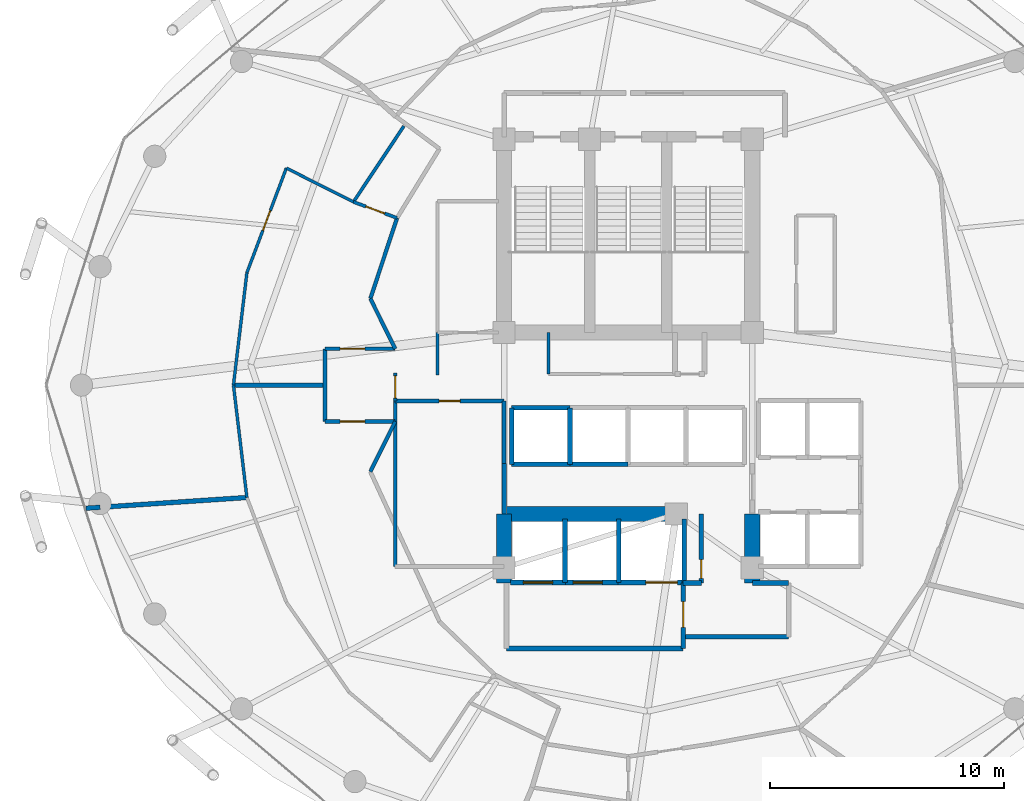
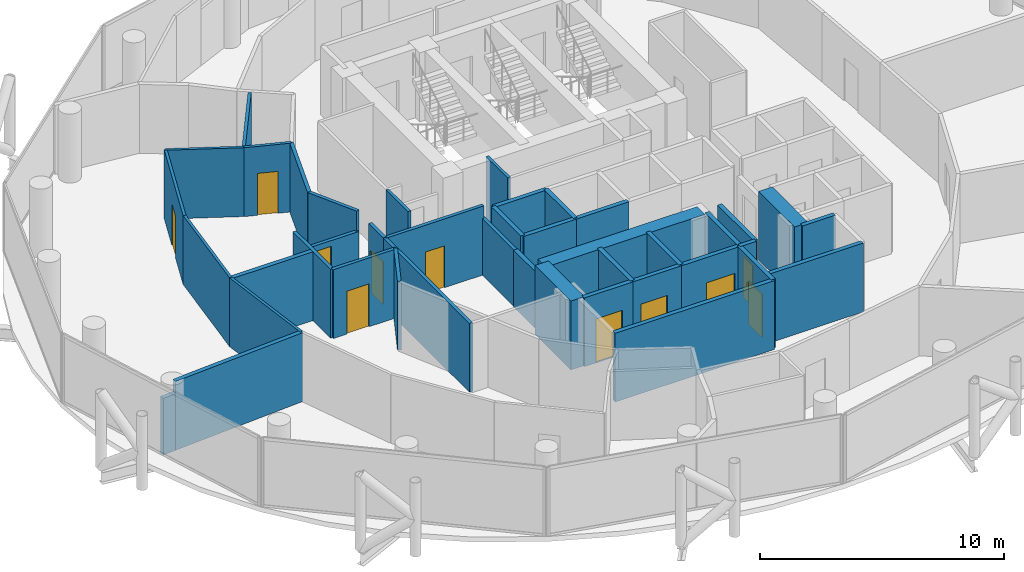
# One storey, part 22 of 26: 42 walls, 11 doors, 11 openings.
"""IFC4 building model written with IfcOpenShell, lengths in metres."""

from ifc_helpers import new_model, si_unit, direction, frame, frame_2d, origin, place, context, subcontext, project, spatial, rectangle, extrude, material, layer, layer_set, type_object, element, fill, save


model = new_model("IFC4")

# Units and contexts
model_context = context("Model", 3, precision=1e-05, world=origin(), true_north=direction((0.0, 1.0)))
body_context = subcontext(model_context, "Body", "Model", "MODEL_VIEW")
ifc_project = project(units=[si_unit("LENGTHUNIT", "METRE"), si_unit("AREAUNIT", "SQUARE_METRE"), si_unit("VOLUMEUNIT", "CUBIC_METRE"), si_unit("PLANEANGLEUNIT", "RADIAN"), si_unit("MASSUNIT", "GRAM", prefix="KILO")], contexts=[model_context])

# Site, building, storey
site_placement = place(None, origin())
site = spatial("IfcSite", under=ifc_project, at=site_placement, CompositionType="ELEMENT")
building_placement = place(site_placement, origin())
building = spatial("IfcBuilding", under=site, at=building_placement, Name="Nuhasar Tower", CompositionType="ELEMENT")
storey_placement = place(building_placement, frame((0.0, 0.0, 151.550048828125)))
storey = spatial("IfcBuildingStorey", under=building, at=storey_placement, Name="L36", CompositionType="ELEMENT", Elevation=151.550048828125)

# Walls
ifc_material_1 = material(Name="Concrete C65/80", Category="concrete")
ifc_layer_1 = layer(ifc_material_1, 0.64990234375)
ifc_layer_set_1 = layer_set([ifc_layer_1], Name="Concrete C65/80")
wall_type_1 = type_object("IfcWallType", Name="WL-CORE-650", PredefinedType="SHEAR", material=ifc_layer_set_1)
for number, where, z_axis, x_axis, name in (
    (1, (33.699951171875, 18.35009765625, 0.0), (0.0, 0.0, 1.0), (0.0, 1.0, 0.0), "L36 Core Shear Wall CW-SW CW-650"),
    (2, (44.300048828125, 18.35009765625, 0.0), (0.0, 0.0, 1.0), (0.0, 1.0, 0.0), "L36 Core Shear Wall CW-SE CW-650"),
):
    element("IfcWall", number, at=place(storey_placement, frame(where, z_axis=z_axis, x_axis=x_axis)), inside=storey, type_object=wall_type_1, Name=name, PredefinedType="SHEAR", context=body_context, shape_type="SweptSolid", body=[
        extrude(rectangle(XDim=2.949951171875, YDim=0.64990234375, at=frame_2d((1.47509765625, 0.0))), origin(), (0.0, 0.0, 1.0), 3.449951171875),
    ])
wall_1_placement = place(storey_placement, frame((33.699951171875, 21.300048828125, 0.0), z_axis=(0.0, 0.0, 1.0), x_axis=(1.0, 0.0, 0.0)))
element("IfcWall", 3, at=wall_1_placement, inside=storey, type_object=wall_type_1, Name="L36 Core Shear Wall CW-S1 CW-650", PredefinedType="SHEAR", context=body_context, shape_type="SweptSolid", body=[
    extrude(rectangle(XDim=7.550048828125, YDim=0.64990234375, at=frame_2d((3.77490234375, 0.0))), origin(), (0.0, 0.0, 1.0), 3.449951171875),
])
ifc_material_2 = material(Name="Gypsum Board", Category="gypsum")
ifc_layer_2 = layer(ifc_material_2, 0.159912109375)
ifc_layer_set_2 = layer_set([ifc_layer_2], Name="Gypsum Board")
wall_type_2 = type_object("IfcWallType", Name="WL-CORR-160", PredefinedType="PARTITIONING", material=ifc_layer_set_2)
wall_2_placement = place(storey_placement, frame((29.050048828125, 19.050048828125, 0.0), z_axis=(0.0, 0.0, 1.0), x_axis=(0.0, 1.0, 0.0)))
element("IfcWall", 4, at=wall_2_placement, inside=storey, type_object=wall_type_2, Name="L36 Interior Partition RECL-B1-W", PredefinedType="PARTITIONING", context=body_context, shape_type="SweptSolid", body=[
    extrude(rectangle(XDim=7.070068359375, YDim=0.159912109375, at=frame_2d((3.53515625, 0.0))), origin(), (0.0, 0.0, 1.0), 3.449951171875),
])
wall_3_placement = place(storey_placement, frame((33.699951171875, 23.449951171875, 0.0), z_axis=(0.0, 0.0, 1.0), x_axis=(0.0, 1.0, 0.0)))
element("IfcWall", 5, at=wall_3_placement, inside=storey, type_object=wall_type_2, Name="L36 Interior Partition RECL-B1-E", PredefinedType="PARTITIONING", context=body_context, shape_type="SweptSolid", body=[
    extrude(rectangle(XDim=2.670166015625, YDim=0.159912109375, at=frame_2d((1.3349609375, 0.0))), origin(), (0.0, 0.0, 1.0), 2.8349609375),
])

# Wall, opening, door
wall_4_placement = place(storey_placement, frame((33.699951171875, 26.1201171875, 0.0), z_axis=(0.0, 0.0, 1.0), x_axis=(-1.0, 0.0, 0.0)))
wall_4 = element("IfcWall", 6, at=wall_4_placement, inside=storey, type_object=wall_type_2, Name="L36 Interior Partition RECL-B1-N", PredefinedType="PARTITIONING", context=body_context, shape_type="SweptSolid", body=[
    extrude(rectangle(XDim=4.64990234375, YDim=0.159912109375, at=frame_2d((2.324951171875, 0.0))), origin(), (0.0, 0.0, 1.0), 3.449951171875),
])
opening_1_placement = place(wall_4_placement, frame((1.875, 0.0, 0.0)))
opening_1 = element("IfcOpeningElement", 7, at=opening_1_placement, cuts=wall_4, Name="Opening DR-01", PredefinedType="OPENING", context=body_context, shape_type="SweptSolid", body=[
    extrude(rectangle(XDim=0.89990234375, YDim=2.10009765625, at=frame_2d((0.449951171875, 1.050048828125))), frame((0.0, 0.08984375, 0.0), z_axis=(0.0, -1.0, 0.0), x_axis=(1.0, 0.0, 0.0)), (0.0, 0.0, 1.0), 0.179931640625),
])
ifc_material_3 = material(Name="Timber Oak", Category="wood")
door_type_1 = type_object("IfcDoorType", Name="DR-ROOM-900", OperationType="NOTDEFINED", PredefinedType="DOOR", material=ifc_material_3)
door_1_placement = place(opening_1_placement, origin())
door_1 = element("IfcDoor", 8, at=door_1_placement, inside=storey, type_object=door_type_1, Name="L36 Butler Store Door", OperationType="SINGLE_SWING_RIGHT", OverallHeight=2.10009765625, OverallWidth=0.89990234375, PredefinedType="DOOR", context=body_context, shape_type="SweptSolid", body=[
    extrude(rectangle(XDim=0.89990234375, YDim=2.10009765625, at=frame_2d((0.449951171875, 1.050048828125))), frame((0.0, 0.02490234375, 0.0), z_axis=(0.0, -1.0, 0.0), x_axis=(1.0, 0.0, 0.0)), (0.0, 0.0, 1.0), 0.050048828125),
])
fill(opening_1, door_1)

wall_5_placement = place(storey_placement, frame((29.050048828125, 26.1201171875, 0.0), z_axis=(0.0, 0.0, 1.0), x_axis=(0.0, 1.0, 0.0)))
wall_5 = element("IfcWall", 9, at=wall_5_placement, inside=storey, type_object=wall_type_2, Name="L36 Interior Partition WVEST-E", PredefinedType="PARTITIONING", context=body_context, shape_type="SweptSolid", body=[
    extrude(rectangle(XDim=1.199951171875, YDim=0.159912109375, at=frame_2d((0.60009765625, 0.0))), origin(), (0.0, 0.0, 1.0), 3.449951171875),
])
opening_2_placement = place(wall_5_placement, frame((0.125, 0.0, 0.0)))
opening_2 = element("IfcOpeningElement", 10, at=opening_2_placement, cuts=wall_5, Name="Opening DO-01", PredefinedType="OPENING", context=body_context, shape_type="SweptSolid", body=[
    extrude(rectangle(XDim=0.949951171875, YDim=2.14990234375, at=frame_2d((0.47509765625, 1.074951171875))), frame((0.0, 0.08984375, 0.0), z_axis=(0.0, -1.0, 0.0), x_axis=(1.0, 0.0, 0.0)), (0.0, 0.0, 1.0), 0.179931640625),
])
door_type_2 = type_object("IfcDoorType", Name="DR-OFFICE-FD30-950", OperationType="NOTDEFINED", PredefinedType="DOOR", material=ifc_material_3)
door_2_placement = place(opening_2_placement, origin())
door_2 = element("IfcDoor", 11, at=door_2_placement, inside=storey, type_object=door_type_2, Name="L36 West Arrival Foyer Core Door", OperationType="SINGLE_SWING_RIGHT", OverallHeight=2.14990234375, OverallWidth=0.949951171875, PredefinedType="DOOR", context=body_context, shape_type="SweptSolid", body=[
    extrude(rectangle(XDim=0.949951171875, YDim=2.14990234375, at=frame_2d((0.47509765625, 1.074951171875))), frame((0.0, 0.02490234375, 0.0), z_axis=(0.0, -1.0, 0.0), x_axis=(1.0, 0.0, 0.0)), (0.0, 0.0, 1.0), 0.050048828125),
])
fill(opening_2, door_2)

# Wall
wall_6_placement = place(storey_placement, frame((29.126953125, 33.93994140625, 0.0), z_axis=(0.0, 0.0, 1.0), x_axis=(-0.313985571683, -0.949427754374, 0.0)))
element("IfcWall", 12, at=wall_6_placement, inside=storey, type_object=wall_type_2, Name="L36 Interior Partition HWEST-CORE-N-20", PredefinedType="PARTITIONING", context=body_context, shape_type="SweptSolid", body=[
    extrude(rectangle(XDim=3.627197265625, YDim=0.159912109375, at=frame_2d((1.8134765625, 0.0))), origin(), (0.0, 0.0, 1.0), 3.449951171875),
])

# Wall, opening, door
wall_7_placement = place(storey_placement, frame((26.050048828125, 28.35009765625, 0.0), z_axis=(0.0, 0.0, 1.0), x_axis=(1.0, 0.0, 0.0)))
wall_7 = element("IfcWall", 13, at=wall_7_placement, inside=storey, type_object=wall_type_2, Name="L36 Interior Partition WVEST-N", PredefinedType="PARTITIONING", context=body_context, shape_type="SweptSolid", body=[
    extrude(rectangle(XDim=3.0, YDim=0.159912109375, at=frame_2d((1.5, 0.0))), origin(), (0.0, 0.0, 1.0), 2.43994140625),
])
opening_3_placement = place(wall_7_placement, frame((0.64990234375, 0.0, 0.0)))
opening_3 = element("IfcOpeningElement", 14, at=opening_3_placement, cuts=wall_7, Name="Opening DU-01", PredefinedType="OPENING", context=body_context, shape_type="SweptSolid", body=[
    extrude(rectangle(XDim=1.050048828125, YDim=2.14990234375, at=frame_2d((0.52490234375, 1.074951171875))), frame((0.0, 0.08984375, 0.0), z_axis=(0.0, -1.0, 0.0), x_axis=(1.0, 0.0, 0.0)), (0.0, 0.0, 1.0), 0.179931640625),
])
door_type_3 = type_object("IfcDoorType", Name="DR-SUITE-FD60-1050", OperationType="NOTDEFINED", PredefinedType="DOOR", material=ifc_material_3)
door_3_placement = place(opening_3_placement, origin())
door_3 = element("IfcDoor", 15, at=door_3_placement, inside=storey, type_object=door_type_3, Name="L36 North-West Sunset Suite Entrance", OperationType="SINGLE_SWING_LEFT", OverallHeight=2.14990234375, OverallWidth=1.050048828125, PredefinedType="DOOR", context=body_context, shape_type="SweptSolid", body=[
    extrude(rectangle(XDim=1.050048828125, YDim=2.14990234375, at=frame_2d((0.52490234375, 1.074951171875))), frame((0.0, 0.02490234375, 0.0), z_axis=(0.0, -1.0, 0.0), x_axis=(1.0, 0.0, 0.0)), (0.0, 0.0, 1.0), 0.050048828125),
])
fill(opening_3, door_3)

wall_8_placement = place(storey_placement, frame((26.050048828125, 25.25, 0.0), z_axis=(0.0, 0.0, 1.0), x_axis=(1.0, 0.0, 0.0)))
wall_8 = element("IfcWall", 16, at=wall_8_placement, inside=storey, type_object=wall_type_2, Name="L36 Interior Partition WVEST-S", PredefinedType="PARTITIONING", context=body_context, shape_type="SweptSolid", body=[
    extrude(rectangle(XDim=3.0, YDim=0.159912109375, at=frame_2d((1.5, 0.0))), origin(), (0.0, 0.0, 1.0), 3.449951171875),
])
opening_4_placement = place(wall_8_placement, frame((0.64990234375, 0.0, 0.0)))
opening_4 = element("IfcOpeningElement", 17, at=opening_4_placement, cuts=wall_8, Name="Opening DU-01", PredefinedType="OPENING", context=body_context, shape_type="SweptSolid", body=[
    extrude(rectangle(XDim=1.050048828125, YDim=2.14990234375, at=frame_2d((0.52490234375, 1.074951171875))), frame((0.0, 0.08984375, 0.0), z_axis=(0.0, -1.0, 0.0), x_axis=(1.0, 0.0, 0.0)), (0.0, 0.0, 1.0), 0.179931640625),
])
door_4_placement = place(opening_4_placement, origin())
door_4 = element("IfcDoor", 18, at=door_4_placement, inside=storey, type_object=door_type_3, Name="L36 South-West Presidential Suite Entrance", OperationType="SINGLE_SWING_LEFT", OverallHeight=2.14990234375, OverallWidth=1.050048828125, PredefinedType="DOOR", context=body_context, shape_type="SweptSolid", body=[
    extrude(rectangle(XDim=1.050048828125, YDim=2.14990234375, at=frame_2d((0.52490234375, 1.074951171875))), frame((0.0, 0.02490234375, 0.0), z_axis=(0.0, -1.0, 0.0), x_axis=(1.0, 0.0, 0.0)), (0.0, 0.0, 1.0), 0.050048828125),
])
fill(opening_4, door_4)

# Walls
wall_9_placement = place(storey_placement, frame((26.050048828125, 25.25, 0.0), z_axis=(0.0, 0.0, 1.0), x_axis=(0.0, 1.0, 0.0)))
element("IfcWall", 19, at=wall_9_placement, inside=storey, type_object=wall_type_2, Name="L36 Interior Partition WVEST-W", PredefinedType="PARTITIONING", context=body_context, shape_type="SweptSolid", body=[
    extrude(rectangle(XDim=3.10009765625, YDim=0.159912109375, at=frame_2d((1.550048828125, 0.0))), origin(), (0.0, 0.0, 1.0), 3.449951171875),
])
for number, where, z_axis, x_axis, name in (
    (20, (27.988037109375, 30.49609375, 0.0), (0.0, 0.0, 1.0), (0.443539160525, -0.896254993337, 0.0), "L36 Interior Partition WVEST-CN"),
    (21, (27.988037109375, 23.10400390625, 0.0), (0.0, 0.0, 1.0), (0.443539160525, 0.896254993337, 0.0), "L36 Interior Partition WVEST-CS"),
):
    element("IfcWall", number, at=place(storey_placement, frame(where, z_axis=z_axis, x_axis=x_axis)), inside=storey, type_object=wall_type_2, Name=name, PredefinedType="PARTITIONING", context=body_context, shape_type="SweptSolid", body=[
        extrude(rectangle(XDim=2.394287109375, YDim=0.159912109375, at=frame_2d((1.197265625, 0.0))), origin(), (0.0, 0.0, 1.0), 3.449951171875),
    ])
ifc_material_4 = material(Name="Concrete C45/55", Category="concrete")
ifc_layer_3 = layer(ifc_material_4, 0.199951171875)
ifc_layer_set_3 = layer_set([ifc_layer_3], Name="Concrete C45/55")
wall_type_3 = type_object("IfcWallType", Name="WL-LOBBY-200", PredefinedType="SOLIDWALL", material=ifc_layer_set_3)
wall_10_placement = place(storey_placement, frame((33.699951171875, 21.300048828125, 0.0), z_axis=(0.0, 0.0, 1.0), x_axis=(0.0, 1.0, 0.0)))
element("IfcWall", 22, at=wall_10_placement, inside=storey, type_object=wall_type_3, Name="L36 Interior Partition LLBH-W", PredefinedType="SOLIDWALL", context=body_context, shape_type="SweptSolid", body=[
    extrude(rectangle(XDim=2.14990234375, YDim=0.199951171875, at=frame_2d((1.074951171875, 0.0))), origin(), (0.0, 0.0, 1.0), 2.8349609375),
])
wall_11_placement = place(storey_placement, frame((33.800048828125, 15.550048828125, 0.0), z_axis=(0.0, 0.0, 1.0), x_axis=(1.0, 0.0, 0.0)))
element("IfcWall", 23, at=wall_11_placement, inside=storey, type_object=wall_type_3, Name="L36 Interior Partition FFL-S", PredefinedType="SOLIDWALL", context=body_context, shape_type="SweptSolid", body=[
    extrude(rectangle(XDim=7.550048828125, YDim=0.199951171875, at=frame_2d((3.77490234375, 0.0))), origin(), (0.0, 0.0, 1.0), 3.449951171875),
])

# Wall, opening, door
wall_12_placement = place(storey_placement, frame((41.35009765625, 15.550048828125, 0.0), z_axis=(0.0, 0.0, 1.0), x_axis=(0.0, 1.0, 0.0)))
wall_12 = element("IfcWall", 24, at=wall_12_placement, inside=storey, type_object=wall_type_3, Name="L36 Interior Partition FFL-E", PredefinedType="SOLIDWALL", context=body_context, shape_type="SweptSolid", body=[
    extrude(rectangle(XDim=2.800048828125, YDim=0.199951171875, at=frame_2d((1.39990234375, 0.0))), origin(), (0.0, 0.0, 1.0), 3.449951171875),
])
opening_5_placement = place(wall_12_placement, frame((0.89990234375, 0.0, 0.0)))
opening_5 = element("IfcOpeningElement", 25, at=opening_5_placement, cuts=wall_12, Name="Opening DS-02", PredefinedType="OPENING", context=body_context, shape_type="SweptSolid", body=[
    extrude(rectangle(XDim=1.10009765625, YDim=2.14990234375, at=frame_2d((0.550048828125, 1.074951171875))), frame((0.0, 0.10986328125, 0.0), z_axis=(0.0, -1.0, 0.0), x_axis=(1.0, 0.0, 0.0)), (0.0, 0.0, 1.0), 0.219970703125),
])
ifc_material_5 = material(Name="Steel S355", Category="steel")
door_type_4 = type_object("IfcDoorType", Name="DR-FFL-FD120-1100", OperationType="NOTDEFINED", PredefinedType="DOOR", material=ifc_material_5)
door_5_placement = place(opening_5_placement, origin())
door_5 = element("IfcDoor", 26, at=door_5_placement, inside=storey, type_object=door_type_4, Name="L36 Firefighting Lobby Door", OperationType="SINGLE_SWING_RIGHT", OverallHeight=2.14990234375, OverallWidth=1.10009765625, PredefinedType="DOOR", context=body_context, shape_type="SweptSolid", body=[
    extrude(rectangle(XDim=1.10009765625, YDim=2.14990234375, at=frame_2d((0.550048828125, 1.074951171875))), frame((0.0, 0.02490234375, 0.0), z_axis=(0.0, -1.0, 0.0), x_axis=(1.0, 0.0, 0.0)), (0.0, 0.0, 1.0), 0.050048828125),
])
fill(opening_5, door_5)

# Walls
wall_13_placement = place(storey_placement, frame((41.35009765625, 16.050048828125, 0.0), z_axis=(0.0, 0.0, 1.0), x_axis=(1.0, 0.0, 0.0)))
element("IfcWall", 27, at=wall_13_placement, inside=storey, type_object=wall_type_3, Name="L36 Interior Partition SVLV-S", PredefinedType="SOLIDWALL", context=body_context, shape_type="SweptSolid", body=[
    extrude(rectangle(XDim=4.5, YDim=0.199951171875, at=frame_2d((2.25, 0.0))), origin(), (0.0, 0.0, 1.0), 3.449951171875),
])
wall_14_placement = place(storey_placement, frame((44.300048828125, 18.35009765625, 0.0), z_axis=(0.0, 0.0, 1.0), x_axis=(1.0, 0.0, 0.0)))
element("IfcWall", 28, at=wall_14_placement, inside=storey, type_object=wall_type_3, Name="L36 Interior Partition SVLV-N", PredefinedType="SOLIDWALL", context=body_context, shape_type="SweptSolid", body=[
    extrude(rectangle(XDim=1.550048828125, YDim=0.199951171875, at=frame_2d((0.77490234375, 0.0))), origin(), (0.0, 0.0, 1.0), 3.449951171875),
])
ifc_layer_4 = layer(ifc_material_2, 0.125)
ifc_layer_set_4 = layer_set([ifc_layer_4], Name="Gypsum Board")
wall_type_4 = type_object("IfcWallType", Name="WL-PART-125", PredefinedType="PARTITIONING", material=ifc_layer_set_4)
wall_15_placement = place(storey_placement, frame((27.264892578125, 34.625, 0.0), z_axis=(0.0, 0.0, 1.0), x_axis=(-0.892916050569, 0.450223196466, 0.0)))
element("IfcWall", 29, at=wall_15_placement, inside=storey, type_object=wall_type_4, Name="L36 Interior Partition HWS1-S", PredefinedType="PARTITIONING", context=body_context, shape_type="SweptSolid", body=[
    extrude(rectangle(XDim=3.209716796875, YDim=0.125, at=frame_2d((1.60498046875, 0.0))), origin(), (0.0, 0.0, 1.0), 3.449951171875),
])

# Wall, opening, door
wall_16_placement = place(storey_placement, frame((24.39892578125, 36.070068359375, 0.0), z_axis=(0.0, 0.0, 1.0), x_axis=(-0.352629336954, -0.935763084717, 0.0)))
wall_16 = element("IfcWall", 30, at=wall_16_placement, inside=storey, type_object=wall_type_4, Name="L36 Interior Partition HWS1-ARC-20", PredefinedType="PARTITIONING", context=body_context, shape_type="SweptSolid", body=[
    extrude(rectangle(XDim=4.77783203125, YDim=0.125, at=frame_2d((2.388916015625, 0.0))), origin(), (0.0, 0.0, 1.0), 3.449951171875),
])
opening_6_placement = place(wall_16_placement, frame((1.93896484375, 0.0, 0.0)))
opening_6 = element("IfcOpeningElement", 31, at=opening_6_placement, cuts=wall_16, Name="Opening DR-01", PredefinedType="OPENING", context=body_context, shape_type="SweptSolid", body=[
    extrude(rectangle(XDim=0.89990234375, YDim=2.10009765625, at=frame_2d((0.449951171875, 1.050048828125))), frame((0.0, 0.072509765625, 0.0), z_axis=(0.0, -1.0, 0.0), x_axis=(1.0, 0.0, 0.0)), (0.0, 0.0, 1.0), 0.14501953125),
])
door_6_placement = place(opening_6_placement, origin())
door_6 = element("IfcDoor", 32, at=door_6_placement, inside=storey, type_object=door_type_1, Name="L36 North-West Sunset Suite Bedroom Door", OperationType="SINGLE_SWING_RIGHT", OverallHeight=2.10009765625, OverallWidth=0.89990234375, PredefinedType="DOOR", context=body_context, shape_type="SweptSolid", body=[
    extrude(rectangle(XDim=0.89990234375, YDim=2.10009765625, at=frame_2d((0.449951171875, 1.050048828125))), frame((0.0, 0.02490234375, 0.0), z_axis=(0.0, -1.0, 0.0), x_axis=(1.0, 0.0, 0.0)), (0.0, 0.0, 1.0), 0.050048828125),
])
fill(opening_6, door_6)

# Walls
for number, where, z_axis, x_axis, name in (
    (33, (22.714111328125, 31.59912109375, 0.0), (0.0, 0.0, 1.0), (-0.118804615011, -0.992917651899, 0.0), "L36 Interior Partition HWS1-ARC-22"),
    (34, (22.139892578125, 26.800048828125, 0.0), (0.0, 0.0, 1.0), (0.118804615011, -0.992917651899, 0.0), "L36 Interior Partition HWS2-ARC-24"),
):
    element("IfcWall", number, at=place(storey_placement, frame(where, z_axis=z_axis, x_axis=x_axis)), inside=storey, type_object=wall_type_4, Name=name, PredefinedType="PARTITIONING", context=body_context, shape_type="SweptSolid", body=[
        extrude(rectangle(XDim=4.833251953125, YDim=0.125, at=frame_2d((2.41650390625, 0.0))), origin(), (0.0, 0.0, 1.0), 3.449951171875),
    ])
ifc_layer_5 = layer(ifc_material_4, 0.199951171875)
ifc_layer_set_5 = layer_set([ifc_layer_5], Name="Concrete C45/55")
wall_type_5 = type_object("IfcWallType", Name="WL-SHAFT-200", PredefinedType="SOLIDWALL", material=ifc_layer_set_5)
for number, where, z_axis, x_axis, name in (
    (35, (34.02001953125, 23.419921875, 0.0), (0.0, 0.0, 1.0), (1.0, 0.0, 0.0), "L36 Interior Partition SHF-PL-H01-S"),
    (36, (34.02001953125, 25.830078125, 0.0), (0.0, 0.0, 1.0), (1.0, 0.0, 0.0), "L36 Interior Partition SHF-PL-H01-N"),
):
    element("IfcWall", number, at=place(storey_placement, frame(where, z_axis=z_axis, x_axis=x_axis)), inside=storey, type_object=wall_type_5, Name=name, PredefinedType="SOLIDWALL", context=body_context, shape_type="SweptSolid", body=[
        extrude(rectangle(XDim=2.5, YDim=0.199951171875, at=frame_2d((1.25, 0.0))), origin(), (0.0, 0.0, 1.0), 3.449951171875),
    ])
for number, where, z_axis, x_axis, name in (
    (37, (34.02001953125, 23.419921875, 0.0), (0.0, 0.0, 1.0), (0.0, 1.0, 0.0), "L36 Interior Partition SHF-PL-H01-W"),
    (38, (36.510009765625, 23.419921875, 0.0), (0.0, 0.0, 1.0), (0.0, 1.0, 0.0), "L36 Interior Partition SHF-PL-H01-E"),
):
    element("IfcWall", number, at=place(storey_placement, frame(where, z_axis=z_axis, x_axis=x_axis)), inside=storey, type_object=wall_type_5, Name=name, PredefinedType="SOLIDWALL", context=body_context, shape_type="SweptSolid", body=[
        extrude(rectangle(XDim=2.41015625, YDim=0.199951171875, at=frame_2d((1.205078125, 0.0))), origin(), (0.0, 0.0, 1.0), 3.449951171875),
    ])
wall_17_placement = place(storey_placement, frame((36.5, 23.419921875, 0.0), z_axis=(0.0, 0.0, 1.0), x_axis=(1.0, 0.0, 0.0)))
element("IfcWall", 39, at=wall_17_placement, inside=storey, type_object=wall_type_5, Name="L36 Interior Partition SHF-PL-H02-S", PredefinedType="SOLIDWALL", context=body_context, shape_type="SweptSolid", body=[
    extrude(rectangle(XDim=2.5, YDim=0.199951171875, at=frame_2d((1.25, 0.0))), origin(), (0.0, 0.0, 1.0), 3.449951171875),
])

# Wall, opening, door
wall_18_placement = place(storey_placement, frame((33.969970703125, 18.3701171875, 0.0), z_axis=(0.0, 0.0, 1.0), x_axis=(1.0, 0.0, 0.0)))
wall_18 = element("IfcWall", 40, at=wall_18_placement, inside=storey, type_object=wall_type_5, Name="L36 Interior Partition SHF-FFL-01-S", PredefinedType="SOLIDWALL", context=body_context, shape_type="SweptSolid", body=[
    extrude(rectangle(XDim=2.360107421875, YDim=0.199951171875, at=frame_2d((1.18017578125, 0.0))), origin(), (0.0, 0.0, 1.0), 3.449951171875),
])
opening_7_placement = place(wall_18_placement, frame((0.554931640625, 0.0, 0.0)))
opening_7 = element("IfcOpeningElement", 41, at=opening_7_placement, cuts=wall_18, Name="Opening LD-F01", PredefinedType="OPENING", context=body_context, shape_type="SweptSolid", body=[
    extrude(rectangle(XDim=1.25, YDim=2.199951171875, at=frame_2d((0.625, 1.10009765625))), frame((0.0, 0.10986328125, 0.0), z_axis=(0.0, -1.0, 0.0), x_axis=(1.0, 0.0, 0.0)), (0.0, 0.0, 1.0), 0.219970703125),
])
ifc_material_6 = material(Name="Stainless Steel 316L", Category="steel")
door_type_5 = type_object("IfcDoorType", Name="LD-FFL-1250", OperationType="DOUBLE_DOOR_SLIDING", PredefinedType="DOOR", material=ifc_material_6)
door_7_placement = place(opening_7_placement, origin())
door_7 = element("IfcDoor", 42, at=door_7_placement, inside=storey, type_object=door_type_5, Name="L36 Lift Landing Door FFL-01", OperationType="DOUBLE_DOOR_SLIDING", OverallHeight=2.199951171875, OverallWidth=1.25, PredefinedType="DOOR", context=body_context, shape_type="SweptSolid", body=[
    extrude(rectangle(XDim=1.25, YDim=2.199951171875, at=frame_2d((0.625, 1.10009765625))), frame((0.0, 0.02490234375, 0.0), z_axis=(0.0, -1.0, 0.0), x_axis=(1.0, 0.0, 0.0)), (0.0, 0.0, 1.0), 0.050048828125),
])
fill(opening_7, door_7)

# Wall
wall_19_placement = place(storey_placement, frame((36.300048828125, 18.3701171875, 0.0), z_axis=(0.0, 0.0, 1.0), x_axis=(0.0, 1.0, 0.0)))
element("IfcWall", 43, at=wall_19_placement, inside=storey, type_object=wall_type_5, Name="L36 Interior Partition SHF-FFL-01-E", PredefinedType="SOLIDWALL", context=body_context, shape_type="SweptSolid", body=[
    extrude(rectangle(XDim=2.7099609375, YDim=0.199951171875, at=frame_2d((1.35498046875, 0.0))), origin(), (0.0, 0.0, 1.0), 3.449951171875),
])

# Wall, opening, door
wall_20_placement = place(storey_placement, frame((36.27001953125, 18.3701171875, 0.0), z_axis=(0.0, 0.0, 1.0), x_axis=(1.0, 0.0, 0.0)))
wall_20 = element("IfcWall", 44, at=wall_20_placement, inside=storey, type_object=wall_type_5, Name="L36 Interior Partition SHF-FFL-02-S", PredefinedType="SOLIDWALL", context=body_context, shape_type="SweptSolid", body=[
    extrude(rectangle(XDim=2.35986328125, YDim=0.199951171875, at=frame_2d((1.179931640625, 0.0))), origin(), (0.0, 0.0, 1.0), 3.449951171875),
])
opening_8_placement = place(wall_20_placement, frame((0.3798828125, 0.0, 0.0)))
opening_8 = element("IfcOpeningElement", 45, at=opening_8_placement, cuts=wall_20, Name="Opening LD-F02", PredefinedType="OPENING", context=body_context, shape_type="SweptSolid", body=[
    extrude(rectangle(XDim=1.25, YDim=2.199951171875, at=frame_2d((0.625, 1.10009765625))), frame((0.0, 0.10986328125, 0.0), z_axis=(0.0, -1.0, 0.0), x_axis=(1.0, 0.0, 0.0)), (0.0, 0.0, 1.0), 0.219970703125),
])
door_8_placement = place(opening_8_placement, origin())
door_8 = element("IfcDoor", 46, at=door_8_placement, inside=storey, type_object=door_type_5, Name="L36 Lift Landing Door FFL-02", OperationType="DOUBLE_DOOR_SLIDING", OverallHeight=2.199951171875, OverallWidth=1.25, PredefinedType="DOOR", context=body_context, shape_type="SweptSolid", body=[
    extrude(rectangle(XDim=1.25, YDim=2.199951171875, at=frame_2d((0.625, 1.10009765625))), frame((0.0, 0.02490234375, 0.0), z_axis=(0.0, -1.0, 0.0), x_axis=(1.0, 0.0, 0.0)), (0.0, 0.0, 1.0), 0.050048828125),
])
fill(opening_8, door_8)

# Wall
wall_21_placement = place(storey_placement, frame((38.60009765625, 18.3701171875, 0.0), z_axis=(0.0, 0.0, 1.0), x_axis=(0.0, 1.0, 0.0)))
element("IfcWall", 47, at=wall_21_placement, inside=storey, type_object=wall_type_5, Name="L36 Interior Partition SHF-FFL-02-E", PredefinedType="SOLIDWALL", context=body_context, shape_type="SweptSolid", body=[
    extrude(rectangle(XDim=2.7099609375, YDim=0.199951171875, at=frame_2d((1.35498046875, 0.0))), origin(), (0.0, 0.0, 1.0), 3.449951171875),
])

# Wall, opening, door
wall_22_placement = place(storey_placement, frame((38.570068359375, 18.3701171875, 0.0), z_axis=(0.0, 0.0, 1.0), x_axis=(1.0, 0.0, 0.0)))
wall_22 = element("IfcWall", 48, at=wall_22_placement, inside=storey, type_object=wall_type_5, Name="L36 Interior Partition SHF-SVL-01-S", PredefinedType="SOLIDWALL", context=body_context, shape_type="SweptSolid", body=[
    extrude(rectangle(XDim=2.829833984375, YDim=0.199951171875, at=frame_2d((1.4150390625, 0.0))), origin(), (0.0, 0.0, 1.0), 3.449951171875),
])
opening_9_placement = place(wall_22_placement, frame((1.179931640625, 0.0, 0.0)))
opening_9 = element("IfcOpeningElement", 49, at=opening_9_placement, cuts=wall_22, Name="Opening LD-S01", PredefinedType="OPENING", context=body_context, shape_type="SweptSolid", body=[
    extrude(rectangle(XDim=1.35009765625, YDim=2.179931640625, at=frame_2d((0.675048828125, 1.08984375))), frame((0.0, 0.10986328125, 0.0), z_axis=(0.0, -1.0, 0.0), x_axis=(1.0, 0.0, 0.0)), (0.0, 0.0, 1.0), 0.219970703125),
])
door_type_6 = type_object("IfcDoorType", Name="LD-SVL-1350", OperationType="DOUBLE_DOOR_SLIDING", PredefinedType="DOOR", material=ifc_material_6)
door_9_placement = place(opening_9_placement, origin())
door_9 = element("IfcDoor", 50, at=door_9_placement, inside=storey, type_object=door_type_6, Name="L36 Lift Landing Door SVL-01", OperationType="DOUBLE_DOOR_SLIDING", OverallHeight=2.179931640625, OverallWidth=1.35009765625, PredefinedType="DOOR", context=body_context, shape_type="SweptSolid", body=[
    extrude(rectangle(XDim=1.35009765625, YDim=2.179931640625, at=frame_2d((0.675048828125, 1.08984375))), frame((0.0, 0.02490234375, 0.0), z_axis=(0.0, -1.0, 0.0), x_axis=(1.0, 0.0, 0.0)), (0.0, 0.0, 1.0), 0.050048828125),
])
fill(opening_9, door_9)

# Wall
wall_23_placement = place(storey_placement, frame((41.39990234375, 18.3701171875, 0.0), z_axis=(0.0, 0.0, 1.0), x_axis=(0.0, 1.0, 0.0)))
element("IfcWall", 51, at=wall_23_placement, inside=storey, type_object=wall_type_5, Name="L36 Interior Partition SHF-SVL-01-E", PredefinedType="SOLIDWALL", context=body_context, shape_type="SweptSolid", body=[
    extrude(rectangle(XDim=2.7099609375, YDim=0.199951171875, at=frame_2d((1.35498046875, 0.0))), origin(), (0.0, 0.0, 1.0), 3.449951171875),
])

# Wall, opening, door
wall_24_placement = place(storey_placement, frame((42.1201171875, 18.35009765625, 0.0), z_axis=(0.0, 0.0, 1.0), x_axis=(0.0, 1.0, 0.0)))
wall_24 = element("IfcWall", 52, at=wall_24_placement, inside=storey, type_object=wall_type_5, Name="L36 Interior Partition RSR-E", PredefinedType="SOLIDWALL", context=body_context, shape_type="SweptSolid", body=[
    extrude(rectangle(XDim=2.949951171875, YDim=0.199951171875, at=frame_2d((1.47509765625, 0.0))), origin(), (0.0, 0.0, 1.0), 3.449951171875),
])
opening_10_placement = place(wall_24_placement, frame((0.199951171875, 0.0, 0.0)))
opening_10 = element("IfcOpeningElement", 53, at=opening_10_placement, cuts=wall_24, Name="Opening DM-01", PredefinedType="OPENING", context=body_context, shape_type="SweptSolid", body=[
    extrude(rectangle(XDim=0.800048828125, YDim=2.050048828125, at=frame_2d((0.39990234375, 1.02490234375))), frame((0.0, 0.10986328125, 0.0), z_axis=(0.0, -1.0, 0.0), x_axis=(1.0, 0.0, 0.0)), (0.0, 0.0, 1.0), 0.219970703125),
])
door_type_7 = type_object("IfcDoorType", Name="DR-RISER-FD60-800", OperationType="NOTDEFINED", PredefinedType="DOOR", material=ifc_material_5)
door_10_placement = place(opening_10_placement, origin())
door_10 = element("IfcDoor", 54, at=door_10_placement, inside=storey, type_object=door_type_7, Name="L36 MEP Riser Access Door", OperationType="SINGLE_SWING_LEFT", OverallHeight=2.050048828125, OverallWidth=0.800048828125, PredefinedType="DOOR", context=body_context, shape_type="SweptSolid", body=[
    extrude(rectangle(XDim=0.800048828125, YDim=2.050048828125, at=frame_2d((0.39990234375, 1.02490234375))), frame((0.0, 0.02490234375, 0.0), z_axis=(0.0, -1.0, 0.0), x_axis=(1.0, 0.0, 0.0)), (0.0, 0.0, 1.0), 0.050048828125),
])
fill(opening_10, door_10)

# Walls
wall_25_placement = place(storey_placement, frame((41.35009765625, 18.35009765625, 0.0), z_axis=(0.0, 0.0, 1.0), x_axis=(1.0, 0.0, 0.0)))
element("IfcWall", 55, at=wall_25_placement, inside=storey, type_object=wall_type_5, Name="L36 Interior Partition RSR-S", PredefinedType="SOLIDWALL", context=body_context, shape_type="SweptSolid", body=[
    extrude(rectangle(XDim=0.77001953125, YDim=0.199951171875, at=frame_2d((0.385009765625, 0.0))), origin(), (0.0, 0.0, 1.0), 3.449951171875),
])
ifc_material_7 = material(Name="Concrete C40/50 precast", Category="concrete")
ifc_layer_6 = layer(ifc_material_7, 0.199951171875)
ifc_layer_set_6 = layer_set([ifc_layer_6], Name="Concrete C40/50 precast")
wall_type_6 = type_object("IfcWallType", Name="WL-UNIT-200", PredefinedType="PARTITIONING", material=ifc_layer_set_6)
wall_26_placement = place(storey_placement, frame((26.050048828125, 26.800048828125, 0.0), z_axis=(0.0, 0.0, 1.0), x_axis=(-1.0, 0.0, 0.0)))
element("IfcWall", 56, at=wall_26_placement, inside=storey, type_object=wall_type_6, Name="L36 Interior Partition HWEST-DIV-IN", PredefinedType="PARTITIONING", context=body_context, shape_type="SweptSolid", body=[
    extrude(rectangle(XDim=3.91015625, YDim=0.199951171875, at=frame_2d((1.955078125, 0.0))), origin(), (0.0, 0.0, 1.0), 3.449951171875),
])
wall_27_placement = place(storey_placement, frame((22.714111328125, 22.0009765625, 0.0), z_axis=(0.0, 0.0, 1.0), x_axis=(-0.997793749083, -0.066390016495, 0.0)))
element("IfcWall", 57, at=wall_27_placement, inside=storey, type_object=wall_type_6, Name="L36 Interior Partition HWEST-DIV-OUT", PredefinedType="PARTITIONING", context=body_context, shape_type="SweptSolid", body=[
    extrude(rectangle(XDim=6.281005859375, YDim=0.199951171875, at=frame_2d((3.140625, 0.0))), origin(), (0.0, 0.0, 1.0), 3.449951171875),
])
wall_28_placement = place(storey_placement, frame((16.447021484375, 21.583984375, 0.0), z_axis=(0.0, 0.0, 1.0), x_axis=(-0.997846662706, -0.065589920915, 0.0)))
element("IfcWall", 58, at=wall_28_placement, inside=storey, type_object=wall_type_6, Name="L36 Interior Partition HWEST-DIV-OUT", PredefinedType="PARTITIONING", context=body_context, shape_type="SweptSolid", body=[
    extrude(rectangle(XDim=0.6103515625, YDim=0.199951171875, at=frame_2d((0.30517578125, 0.0))), origin(), (0.0, 0.0, 1.0), 2.8349609375),
])
ifc_layer_7 = layer(ifc_material_7, 0.139892578125)
ifc_layer_set_7 = layer_set([ifc_layer_7], Name="Concrete C40/50 precast")
wall_type_7 = type_object("IfcWallType", Name="WL-WET-140", PredefinedType="PARTITIONING", material=ifc_layer_set_7)
wall_29_placement = place(storey_placement, frame((35.60009765625, 27.280029296875, 0.0), z_axis=(0.0, 0.0, 1.0), x_axis=(0.0, 1.0, 0.0)))
element("IfcWall", 59, at=wall_29_placement, inside=storey, type_object=wall_type_7, Name="L36 Interior Partition CSVC-W", PredefinedType="PARTITIONING", context=body_context, shape_type="SweptSolid", body=[
    extrude(rectangle(XDim=1.77001953125, YDim=0.139892578125, at=frame_2d((0.885009765625, 0.0))), origin(), (0.0, 0.0, 1.0), 3.449951171875),
])
wall_30_placement = place(storey_placement, frame((30.85009765625, 27.239990234375, 0.0), z_axis=(0.0, 0.0, 1.0), x_axis=(0.0, 1.0, 0.0)))
element("IfcWall", 60, at=wall_30_placement, inside=storey, type_object=wall_type_7, Name="L36 Interior Partition K3-FOY-W", PredefinedType="PARTITIONING", context=body_context, shape_type="SweptSolid", body=[
    extrude(rectangle(XDim=1.81005859375, YDim=0.139892578125, at=frame_2d((0.905029296875, 0.0))), origin(), (0.0, 0.0, 1.0), 3.449951171875),
])

# Wall, opening, door
wall_31_placement = place(storey_placement, frame((27.264892578125, 34.625, 0.0), z_axis=(0.0, 0.0, 1.0), x_axis=(0.938500583084, -0.345277649945, 0.0)))
wall_31 = element("IfcWall", 61, at=wall_31_placement, inside=storey, type_object=wall_type_7, Name="L36 Interior Partition HBW1-S", PredefinedType="PARTITIONING", context=body_context, shape_type="SweptSolid", body=[
    extrude(rectangle(XDim=1.984130859375, YDim=0.139892578125, at=frame_2d((0.9921875, 0.0))), origin(), (0.0, 0.0, 1.0), 3.449951171875),
])
opening_11_placement = place(wall_31_placement, frame((0.56689453125, 0.0, 0.0)))
opening_11 = element("IfcOpeningElement", 62, at=opening_11_placement, cuts=wall_31, Name="Opening DB-01", PredefinedType="OPENING", context=body_context, shape_type="SweptSolid", body=[
    extrude(rectangle(XDim=0.85009765625, YDim=2.10009765625, at=frame_2d((0.425048828125, 1.050048828125))), frame((0.0, 0.080078125, 0.0), z_axis=(0.0, -1.0, 0.0), x_axis=(1.0, 0.0, 0.0)), (0.0, 0.0, 1.0), 0.159912109375),
])
door_type_8 = type_object("IfcDoorType", Name="DR-BATH-850", OperationType="NOTDEFINED", PredefinedType="DOOR", material=ifc_material_3)
door_11_placement = place(opening_11_placement, origin())
door_11 = element("IfcDoor", 63, at=door_11_placement, inside=storey, type_object=door_type_8, Name="L36 North-West Sunset Suite En-Suite Door", OperationType="SINGLE_SWING_LEFT", OverallHeight=2.10009765625, OverallWidth=0.85009765625, PredefinedType="DOOR", context=body_context, shape_type="SweptSolid", body=[
    extrude(rectangle(XDim=0.85009765625, YDim=2.10009765625, at=frame_2d((0.425048828125, 1.050048828125))), frame((0.0, 0.02490234375, 0.0), z_axis=(0.0, -1.0, 0.0), x_axis=(1.0, 0.0, 0.0)), (0.0, 0.0, 1.0), 0.050048828125),
])
fill(opening_11, door_11)

# Wall
wall_32_placement = place(storey_placement, frame((29.4189453125, 37.865966796875, 0.0), z_axis=(0.0, 0.0, 1.0), x_axis=(-0.553526949376, -0.832831265212, 0.0)))
element("IfcWall", 64, at=wall_32_placement, inside=storey, type_object=wall_type_7, Name="L36 Interior Partition HBW1-E", PredefinedType="PARTITIONING", context=body_context, shape_type="SweptSolid", body=[
    extrude(rectangle(XDim=3.8916015625, YDim=0.139892578125, at=frame_2d((1.94580078125, 0.0))), origin(), (0.0, 0.0, 1.0), 3.449951171875),
])

save(model, "model.ifc")
